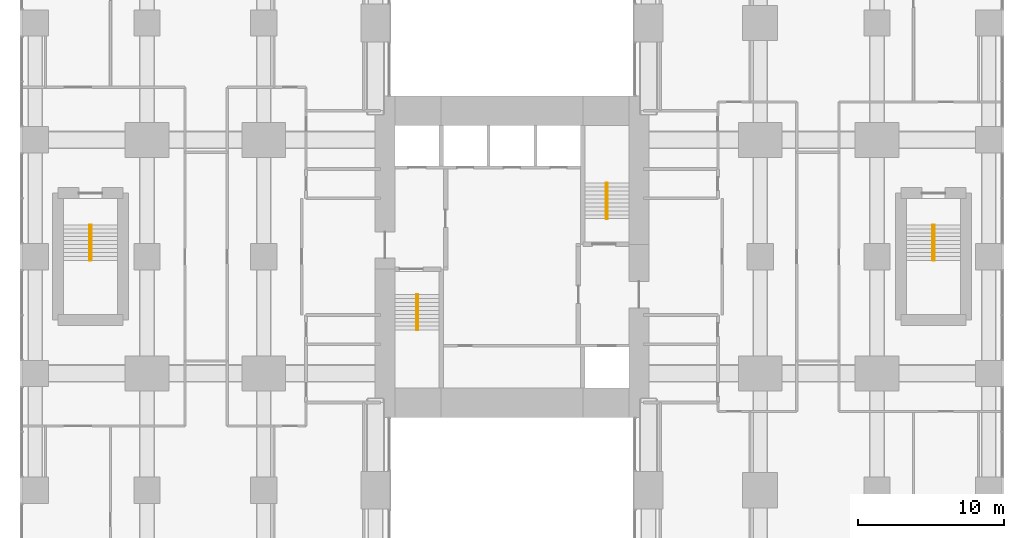
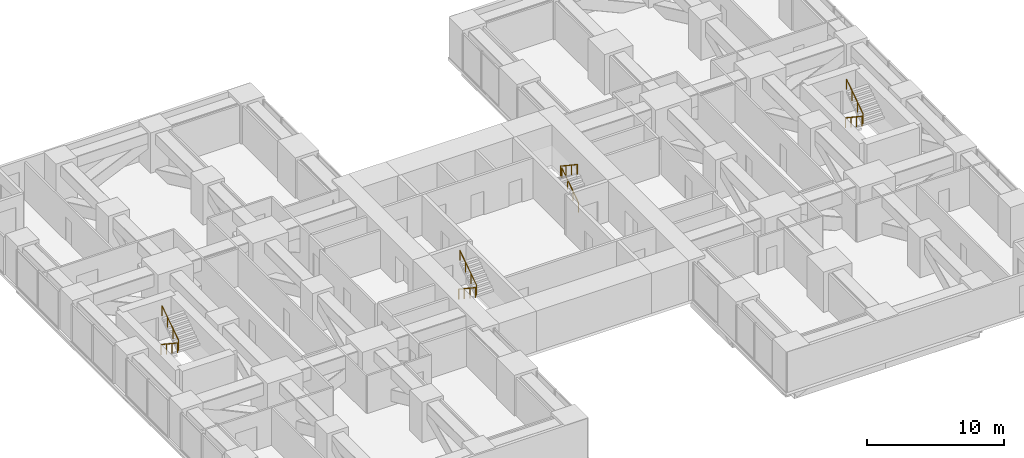
# One storey, part 14 of 14: 8 railings.
"""IFC4 building model written with IfcOpenShell, lengths in metres."""

from ifc_helpers import new_model, si_unit, direction, frame, origin, origin_2d, place, context, subcontext, project, spatial, circle, extrude, material, type_object, element, save


model = new_model("IFC4")

# Units and contexts
model_context = context("Model", 3, precision=1e-05, world=origin(), true_north=direction((0.0, 1.0)))
body_context = subcontext(model_context, "Body", "Model", "MODEL_VIEW")
ifc_project = project(units=[si_unit("LENGTHUNIT", "METRE"), si_unit("AREAUNIT", "SQUARE_METRE"), si_unit("VOLUMEUNIT", "CUBIC_METRE"), si_unit("PLANEANGLEUNIT", "RADIAN"), si_unit("MASSUNIT", "GRAM", prefix="KILO")], contexts=[model_context])

# Site, building, storey
site_placement = place(None, origin())
site = spatial("IfcSite", under=ifc_project, at=site_placement, CompositionType="ELEMENT")
building_placement = place(site_placement, origin())
building = spatial("IfcBuilding", under=site, at=building_placement, Name="Cleftline Residences", CompositionType="ELEMENT")
storey_placement = place(building_placement, frame((0.0, 0.0, 200.199951171875)))
storey = spatial("IfcBuildingStorey", under=building, at=storey_placement, Name="L52", CompositionType="ELEMENT", Elevation=200.199951171875)

# Railings
ifc_material = material(Name="Stainless steel", Category="steel")
railing_type = type_object("IfcRailingType", Name="HANDRAIL 900", PredefinedType="HANDRAIL", material=ifc_material)
railing_1_placement = place(storey_placement, frame((26.449951171875, 21.39990234375, 0.179931640625)))
element("IfcRailing", 1, at=railing_1_placement, inside=storey, type_object=railing_type, Name="Stair handrail", PredefinedType="HANDRAIL", context=body_context, shape_type="SweptSolid", body=[
    extrude(circle(Radius=0.02392578125, at=origin_2d()), frame((0.0, 0.0, 0.8759765625), z_axis=(0.0, -0.832024571796, 0.554738778101), x_axis=(1.0, 0.0, 0.0)), (0.0, 0.0, 1.0), 2.92041015625),
    extrude(circle(Radius=0.02099609375, at=origin_2d()), origin(), (0.0, 0.0, 1.0), 0.851806640625),
    extrude(circle(Radius=0.02099609375, at=origin_2d()), frame((0.0, -0.81005859375, 0.5400390625)), (0.0, 0.0, 1.0), 0.851806640625),
    extrude(circle(Radius=0.02099609375, at=origin_2d()), frame((0.0, -1.619873046875, 1.080078125)), (0.0, 0.0, 1.0), 0.851806640625),
    extrude(circle(Radius=0.02099609375, at=origin_2d()), frame((0.0, -2.429931640625, 1.6201171875)), (0.0, 0.0, 1.0), 0.851806640625),
])
for number, where, name in (
    (2, (26.550048828125, 18.969970703125, 1.97998046875), "Stair handrail"),
    (3, (39.550048828125, 26.60009765625, 0.179931640625), "Stair handrail"),
):
    element("IfcRailing", number, at=place(storey_placement, frame(where)), inside=storey, type_object=railing_type, Name=name, PredefinedType="HANDRAIL", context=body_context, shape_type="SweptSolid", body=[
        extrude(circle(Radius=0.02392578125, at=origin_2d()), frame((0.0, 0.0, 0.8759765625), z_axis=(0.0, 0.832024571796, 0.554738778101), x_axis=(-1.0, 0.0, 0.0)), (0.0, 0.0, 1.0), 2.92041015625),
        extrude(circle(Radius=0.02099609375, at=origin_2d()), origin(), (0.0, 0.0, 1.0), 0.851806640625),
        extrude(circle(Radius=0.02099609375, at=origin_2d()), frame((0.0, 0.81005859375, 0.5400390625)), (0.0, 0.0, 1.0), 0.851806640625),
        extrude(circle(Radius=0.02099609375, at=origin_2d()), frame((0.0, 1.619873046875, 1.080078125)), (0.0, 0.0, 1.0), 0.851806640625),
        extrude(circle(Radius=0.02099609375, at=origin_2d()), frame((0.0, 2.429931640625, 1.6201171875)), (0.0, 0.0, 1.0), 0.851806640625),
    ])
for number, where, name in (
    (4, (39.449951171875, 29.030029296875, 1.97998046875), "Stair handrail"),
    (5, (61.824951171875, 26.175048828125, 0.179931640625), "Stair handrail"),
):
    element("IfcRailing", number, at=place(storey_placement, frame(where)), inside=storey, type_object=railing_type, Name=name, PredefinedType="HANDRAIL", context=body_context, shape_type="SweptSolid", body=[
        extrude(circle(Radius=0.02392578125, at=origin_2d()), frame((0.0, 0.0, 0.8759765625), z_axis=(0.0, -0.832024571796, 0.554738778101), x_axis=(1.0, 0.0, 0.0)), (0.0, 0.0, 1.0), 2.92041015625),
        extrude(circle(Radius=0.02099609375, at=origin_2d()), origin(), (0.0, 0.0, 1.0), 0.851806640625),
        extrude(circle(Radius=0.02099609375, at=origin_2d()), frame((0.0, -0.81005859375, 0.5400390625)), (0.0, 0.0, 1.0), 0.851806640625),
        extrude(circle(Radius=0.02099609375, at=origin_2d()), frame((0.0, -1.619873046875, 1.080078125)), (0.0, 0.0, 1.0), 0.851806640625),
        extrude(circle(Radius=0.02099609375, at=origin_2d()), frame((0.0, -2.429931640625, 1.6201171875)), (0.0, 0.0, 1.0), 0.851806640625),
    ])
railing_2_placement = place(storey_placement, frame((61.925048828125, 23.7451171875, 1.97998046875)))
element("IfcRailing", 6, at=railing_2_placement, inside=storey, type_object=railing_type, Name="Stair handrail", PredefinedType="HANDRAIL", context=body_context, shape_type="SweptSolid", body=[
    extrude(circle(Radius=0.02392578125, at=origin_2d()), frame((0.0, 0.0, 0.8759765625), z_axis=(0.0, 0.832024571796, 0.554738778101), x_axis=(-1.0, 0.0, 0.0)), (0.0, 0.0, 1.0), 2.92041015625),
    extrude(circle(Radius=0.02099609375, at=origin_2d()), origin(), (0.0, 0.0, 1.0), 0.851806640625),
    extrude(circle(Radius=0.02099609375, at=origin_2d()), frame((0.0, 0.81005859375, 0.5400390625)), (0.0, 0.0, 1.0), 0.851806640625),
    extrude(circle(Radius=0.02099609375, at=origin_2d()), frame((0.0, 1.619873046875, 1.080078125)), (0.0, 0.0, 1.0), 0.851806640625),
    extrude(circle(Radius=0.02099609375, at=origin_2d()), frame((0.0, 2.429931640625, 1.6201171875)), (0.0, 0.0, 1.0), 0.851806640625),
])
railing_3_placement = place(storey_placement, frame((4.074951171875, 26.175048828125, 0.179931640625)))
element("IfcRailing", 7, at=railing_3_placement, inside=storey, type_object=railing_type, Name="Stair handrail", PredefinedType="HANDRAIL", context=body_context, shape_type="SweptSolid", body=[
    extrude(circle(Radius=0.02392578125, at=origin_2d()), frame((0.0, 0.0, 0.8759765625), z_axis=(0.0, -0.832024571796, 0.554738778101), x_axis=(1.0, 0.0, 0.0)), (0.0, 0.0, 1.0), 2.92041015625),
    extrude(circle(Radius=0.02099609375, at=origin_2d()), origin(), (0.0, 0.0, 1.0), 0.851806640625),
    extrude(circle(Radius=0.02099609375, at=origin_2d()), frame((0.0, -0.81005859375, 0.5400390625)), (0.0, 0.0, 1.0), 0.851806640625),
    extrude(circle(Radius=0.02099609375, at=origin_2d()), frame((0.0, -1.619873046875, 1.080078125)), (0.0, 0.0, 1.0), 0.851806640625),
    extrude(circle(Radius=0.02099609375, at=origin_2d()), frame((0.0, -2.429931640625, 1.6201171875)), (0.0, 0.0, 1.0), 0.851806640625),
])
railing_4_placement = place(storey_placement, frame((4.175048828125, 23.7451171875, 1.97998046875)))
element("IfcRailing", 8, at=railing_4_placement, inside=storey, type_object=railing_type, Name="Stair handrail", PredefinedType="HANDRAIL", context=body_context, shape_type="SweptSolid", body=[
    extrude(circle(Radius=0.02392578125, at=origin_2d()), frame((0.0, 0.0, 0.8759765625), z_axis=(0.0, 0.832024571796, 0.554738778101), x_axis=(-1.0, 0.0, 0.0)), (0.0, 0.0, 1.0), 2.92041015625),
    extrude(circle(Radius=0.02099609375, at=origin_2d()), origin(), (0.0, 0.0, 1.0), 0.851806640625),
    extrude(circle(Radius=0.02099609375, at=origin_2d()), frame((0.0, 0.81005859375, 0.5400390625)), (0.0, 0.0, 1.0), 0.851806640625),
    extrude(circle(Radius=0.02099609375, at=origin_2d()), frame((0.0, 1.619873046875, 1.080078125)), (0.0, 0.0, 1.0), 0.851806640625),
    extrude(circle(Radius=0.02099609375, at=origin_2d()), frame((0.0, 2.429931640625, 1.6201171875)), (0.0, 0.0, 1.0), 0.851806640625),
])

save(model, "model.ifc")
